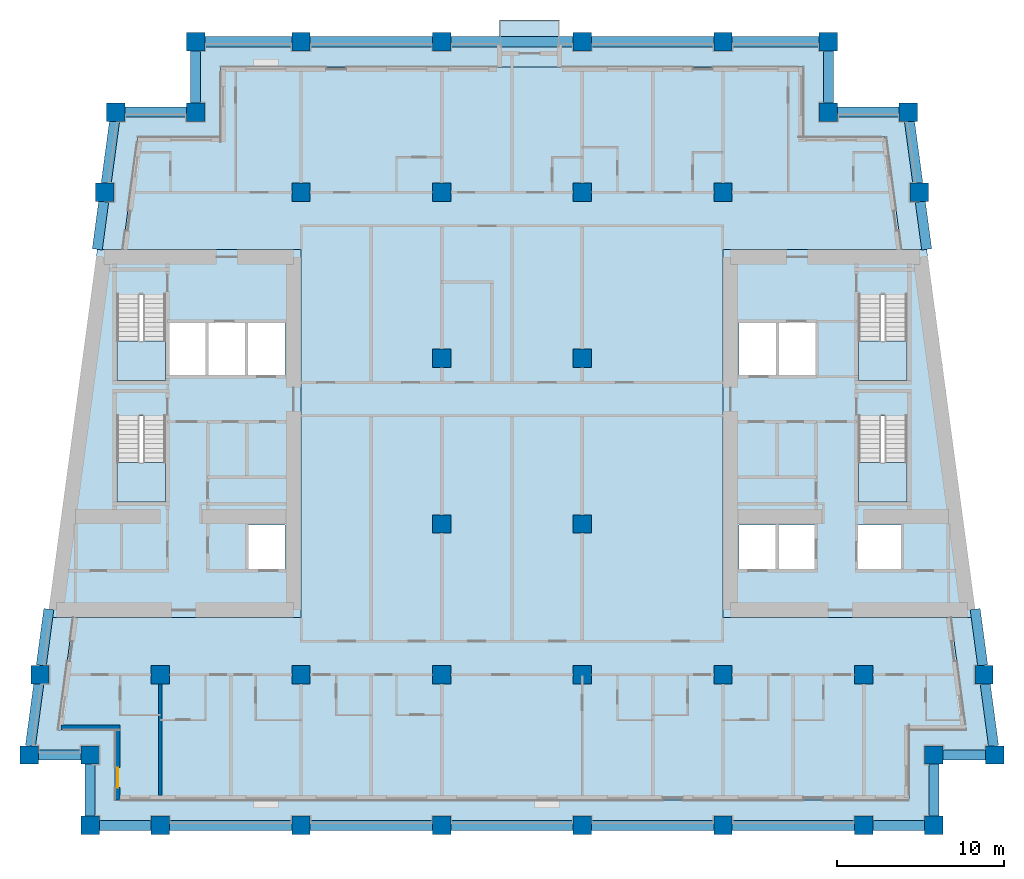
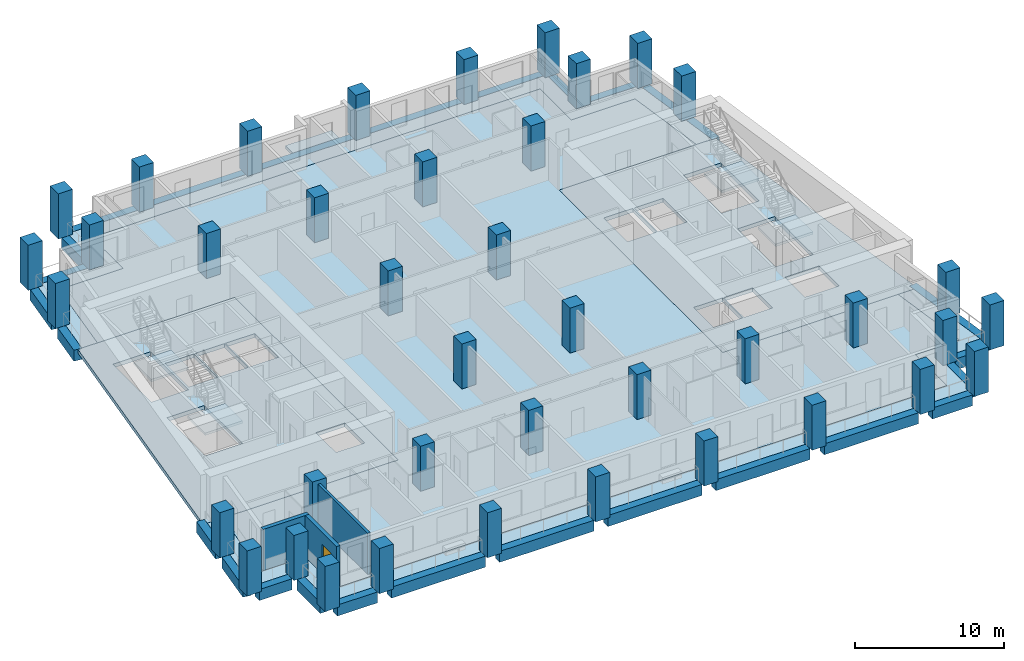
# One storey, part 1 of 14: 40 columns, 28 beams, 10 slabs, 3 walls, 1 door, 1 opening, 4 elements without a shape of their own.
"""IFC4 building model written with IfcOpenShell, lengths in metres."""

from ifc_helpers import new_model, si_unit, direction, frame, frame_2d, origin, origin_2d, place, context, subcontext, project, spatial, polyline, rectangle, outline, extrude, material, layer, layer_set, material_profile, profile_set, type_object, element, fill, aggregate, save


model = new_model("IFC4")

# Units and contexts
model_context = context("Model", 3, precision=1e-05, world=origin(), true_north=direction((0.0, 1.0)))
body_context = subcontext(model_context, "Body", "Model", "MODEL_VIEW")
ifc_project = project(units=[si_unit("LENGTHUNIT", "METRE"), si_unit("AREAUNIT", "SQUARE_METRE"), si_unit("VOLUMEUNIT", "CUBIC_METRE"), si_unit("PLANEANGLEUNIT", "RADIAN"), si_unit("MASSUNIT", "GRAM", prefix="KILO")], contexts=[model_context])

# Site, building, storey
site_placement = place(None, origin())
site = spatial("IfcSite", under=ifc_project, at=site_placement, CompositionType="ELEMENT")
building_placement = place(site_placement, origin())
building = spatial("IfcBuilding", under=site, at=building_placement, Name="Candeia Pilgrim Tower and Theatre", CompositionType="ELEMENT")
storey_placement = place(building_placement, frame((0.0, 0.0, 173.699951171875)))
storey = spatial("IfcBuildingStorey", under=building, at=storey_placement, Name="L41", CompositionType="ELEMENT", Elevation=173.699951171875)

# Columns
ifc_material_1 = material(Name="Concrete C60/75", Category="concrete")
ifc_material_profile_1 = material_profile(ifc_material_1, rectangle(XDim=1.10009765625, YDim=1.10009765625, at=origin_2d()))
ifc_profile_set_1 = profile_set([ifc_material_profile_1], Name="Concrete C60/75")
column_type = type_object("IfcColumnType", Name="RC 1100x1100 C60/75", PredefinedType="COLUMN", material=ifc_profile_set_1)
for number, where, z_axis, x_axis, name in (
    (1, (92.39990234375, 98.0, 0.0), (0.0, 0.0, 1.0), (1.0, 0.0, 0.0), "Column A1"),
    (2, (100.800048828125, 98.0, 0.0), (0.0, 0.0, 1.0), (1.0, 0.0, 0.0), "Column A2"),
    (3, (109.199951171875, 98.0, 0.0), (0.0, 0.0, 1.0), (1.0, 0.0, 0.0), "Column A3"),
    (4, (117.60009765625, 98.0, 0.0), (0.0, 0.0, 1.0), (1.0, 0.0, 0.0), "Column A4"),
    (5, (126.0, 98.0, 0.0), (0.0, 0.0, 1.0), (1.0, 0.0, 0.0), "Column A5"),
    (6, (134.39990234375, 98.0, 0.0), (0.0, 0.0, 1.0), (1.0, 0.0, 0.0), "Column A6"),
    (7, (88.199951171875, 98.0, 0.0), (0.0, 0.0, 1.0), (1.0, 0.0, 0.0), "Column AW"),
    (8, (138.60009765625, 98.0, 0.0), (0.0, 0.0, 1.0), (1.0, 0.0, 0.0), "Column AE"),
    (9, (88.199951171875, 102.199951171875, 0.0), (0.0, 0.0, 1.0), (1.0, 0.0, 0.0), "Column NSW"),
    (10, (138.60009765625, 102.199951171875, 0.0), (0.0, 0.0, 1.0), (1.0, 0.0, 0.0), "Column NSE"),
    (11, (94.5, 140.60009765625, 0.0), (0.0, 0.0, 1.0), (1.0, 0.0, 0.0), "Column NNW"),
    (12, (132.300048828125, 140.60009765625, 0.0), (0.0, 0.0, 1.0), (1.0, 0.0, 0.0), "Column NNE"),
    (13, (84.5654296875, 102.199951171875, 0.0), (0.0, 0.0, 1.0), (1.0, 0.0, 0.0), "Column LSW"),
    (14, (142.234619140625, 102.199951171875, 0.0), (0.0, 0.0, 1.0), (1.0, 0.0, 0.0), "Column LSE"),
    (15, (89.734619140625, 140.60009765625, 0.0), (0.0, 0.0, 1.0), (1.0, 0.0, 0.0), "Column LNW"),
    (16, (137.0654296875, 140.60009765625, 0.0), (0.0, 0.0, 1.0), (1.0, 0.0, 0.0), "Column LNE"),
    (17, (92.39990234375, 107.0, 0.0), (0.0, 0.0, 1.0), (1.0, 0.0, 0.0), "Column B1"),
    (18, (100.800048828125, 107.0, 0.0), (0.0, 0.0, 1.0), (1.0, 0.0, 0.0), "Column B2"),
    (19, (109.199951171875, 107.0, 0.0), (0.0, 0.0, 1.0), (1.0, 0.0, 0.0), "Column B3"),
    (20, (117.60009765625, 107.0, 0.0), (0.0, 0.0, 1.0), (1.0, 0.0, 0.0), "Column B4"),
    (21, (126.0, 107.0, 0.0), (0.0, 0.0, 1.0), (1.0, 0.0, 0.0), "Column B5"),
    (22, (134.39990234375, 107.0, 0.0), (0.0, 0.0, 1.0), (1.0, 0.0, 0.0), "Column B6"),
    (23, (85.21142578125, 107.0, 0.0), (0.0, 0.0, 1.0), (1.0, 0.0, 0.0), "Column BW"),
    (24, (141.58837890625, 107.0, 0.0), (0.0, 0.0, 1.0), (1.0, 0.0, 0.0), "Column BE"),
    (25, (109.199951171875, 116.0, 0.0), (0.0, 0.0, 1.0), (1.0, 0.0, 0.0), "Column C3"),
    (26, (117.60009765625, 116.0, 0.0), (0.0, 0.0, 1.0), (1.0, 0.0, 0.0), "Column C4"),
    (27, (109.199951171875, 125.89990234375, 0.0), (0.0, 0.0, 1.0), (1.0, 0.0, 0.0), "Column D3"),
    (28, (117.60009765625, 125.89990234375, 0.0), (0.0, 0.0, 1.0), (1.0, 0.0, 0.0), "Column D4"),
    (29, (100.800048828125, 135.800048828125, 0.0), (0.0, 0.0, 1.0), (1.0, 0.0, 0.0), "Column E2"),
    (30, (109.199951171875, 135.800048828125, 0.0), (0.0, 0.0, 1.0), (1.0, 0.0, 0.0), "Column E3"),
    (31, (117.60009765625, 135.800048828125, 0.0), (0.0, 0.0, 1.0), (1.0, 0.0, 0.0), "Column E4"),
    (32, (126.0, 135.800048828125, 0.0), (0.0, 0.0, 1.0), (1.0, 0.0, 0.0), "Column E5"),
    (33, (89.08837890625, 135.800048828125, 0.0), (0.0, 0.0, 1.0), (1.0, 0.0, 0.0), "Column EW"),
    (34, (137.71142578125, 135.800048828125, 0.0), (0.0, 0.0, 1.0), (1.0, 0.0, 0.0), "Column EE"),
    (35, (100.800048828125, 144.800048828125, 0.0), (0.0, 0.0, 1.0), (1.0, 0.0, 0.0), "Column F2"),
    (36, (109.199951171875, 144.800048828125, 0.0), (0.0, 0.0, 1.0), (1.0, 0.0, 0.0), "Column F3"),
    (37, (117.60009765625, 144.800048828125, 0.0), (0.0, 0.0, 1.0), (1.0, 0.0, 0.0), "Column F4"),
    (38, (126.0, 144.800048828125, 0.0), (0.0, 0.0, 1.0), (1.0, 0.0, 0.0), "Column F5"),
    (39, (94.5, 144.800048828125, 0.0), (0.0, 0.0, 1.0), (1.0, 0.0, 0.0), "Column FW"),
    (40, (132.300048828125, 144.800048828125, 0.0), (0.0, 0.0, 1.0), (1.0, 0.0, 0.0), "Column FE"),
):
    element("IfcColumn", number, at=place(storey_placement, frame(where, z_axis=z_axis, x_axis=x_axis)), inside=storey, type_object=column_type, Name=name, PredefinedType="COLUMN", context=body_context, shape_type="SweptSolid", body=[
        extrude(rectangle(XDim=1.10009765625, YDim=1.10009765625, at=origin_2d()), origin(), (0.0, 0.0, 1.0), 3.699951171875),
    ])

# Beams
ifc_material_profile_2 = material_profile(ifc_material_1, rectangle(XDim=0.60009765625, YDim=0.89990234375, at=origin_2d()))
ifc_profile_set_2 = profile_set([ifc_material_profile_2], Name="Concrete C60/75")
beam_type = type_object("IfcBeamType", Name="RC 600x900 C60/75", PredefinedType="BEAM", material=ifc_profile_set_2)
beam_1_placement = place(storey_placement, frame((88.75, 98.0, -0.449951171875), z_axis=(1.0, 0.0, 0.0), x_axis=(0.0, 1.0, 0.0)))
element("IfcBeam", 41, at=beam_1_placement, inside=storey, type_object=beam_type, Name="Spandrel beam L41-01", PredefinedType="BEAM", context=body_context, shape_type="SweptSolid", body=[
    extrude(rectangle(XDim=0.60009765625, YDim=0.89990234375, at=origin_2d()), origin(), (0.0, 0.0, 1.0), 3.10009765625),
])
beam_2_placement = place(storey_placement, frame((92.949951171875, 98.0, -0.449951171875), z_axis=(1.0, 0.0, 0.0), x_axis=(0.0, 1.0, 0.0)))
element("IfcBeam", 42, at=beam_2_placement, inside=storey, type_object=beam_type, Name="Spandrel beam L41-02", PredefinedType="BEAM", context=body_context, shape_type="SweptSolid", body=[
    extrude(rectangle(XDim=0.60009765625, YDim=0.89990234375, at=origin_2d()), origin(), (0.0, 0.0, 1.0), 7.300048828125),
])
beam_3_placement = place(storey_placement, frame((101.35009765625, 98.0, -0.449951171875), z_axis=(1.0, 0.0, 0.0), x_axis=(0.0, 1.0, 0.0)))
element("IfcBeam", 43, at=beam_3_placement, inside=storey, type_object=beam_type, Name="Spandrel beam L41-03", PredefinedType="BEAM", context=body_context, shape_type="SweptSolid", body=[
    extrude(rectangle(XDim=0.60009765625, YDim=0.89990234375, at=origin_2d()), origin(), (0.0, 0.0, 1.0), 7.2998046875),
])
for number, where, z_axis, x_axis, name in (
    (44, (109.75, 98.0, -0.449951171875), (1.0, 0.0, 0.0), (0.0, 1.0, 0.0), "Spandrel beam L41-04"),
    (45, (118.14990234375, 98.0, -0.449951171875), (1.0, 0.0, 0.0), (0.0, 1.0, 0.0), "Spandrel beam L41-05"),
    (46, (126.550048828125, 98.0, -0.449951171875), (1.0, 0.0, 0.0), (0.0, 1.0, 0.0), "Spandrel beam L41-06"),
):
    element("IfcBeam", number, at=place(storey_placement, frame(where, z_axis=z_axis, x_axis=x_axis)), inside=storey, type_object=beam_type, Name=name, PredefinedType="BEAM", context=body_context, shape_type="SweptSolid", body=[
        extrude(rectangle(XDim=0.60009765625, YDim=0.89990234375, at=origin_2d()), origin(), (0.0, 0.0, 1.0), 7.300048828125),
    ])
beam_4_placement = place(storey_placement, frame((134.949951171875, 98.0, -0.449951171875), z_axis=(1.0, 0.0, 0.0), x_axis=(0.0, 1.0, 0.0)))
element("IfcBeam", 47, at=beam_4_placement, inside=storey, type_object=beam_type, Name="Spandrel beam L41-07", PredefinedType="BEAM", context=body_context, shape_type="SweptSolid", body=[
    extrude(rectangle(XDim=0.60009765625, YDim=0.89990234375, at=origin_2d()), origin(), (0.0, 0.0, 1.0), 3.10009765625),
])
beam_5_placement = place(storey_placement, frame((138.60009765625, 98.550048828125, -0.449951171875), z_axis=(0.0, 1.0, 0.0), x_axis=(-1.0, 0.0, 0.0)))
element("IfcBeam", 48, at=beam_5_placement, inside=storey, type_object=beam_type, Name="Spandrel beam L41-08", PredefinedType="BEAM", context=body_context, shape_type="SweptSolid", body=[
    extrude(rectangle(XDim=0.60009765625, YDim=0.89990234375, at=origin_2d()), origin(), (0.0, 0.0, 1.0), 3.099853515625),
])
beam_6_placement = place(storey_placement, frame((139.14990234375, 102.199951171875, -0.449951171875), z_axis=(1.0, 0.0, 0.0), x_axis=(0.0, 1.0, 0.0)))
element("IfcBeam", 49, at=beam_6_placement, inside=storey, type_object=beam_type, Name="Spandrel beam L41-09", PredefinedType="BEAM", context=body_context, shape_type="SweptSolid", body=[
    extrude(rectangle(XDim=0.60009765625, YDim=0.89990234375, at=origin_2d()), origin(), (0.0, 0.0, 1.0), 2.53466796875),
])
beam_7_placement = place(storey_placement, frame((142.16064453125, 102.75, -0.449951171875), z_axis=(-0.133405836075, 0.991061492997, 0.0), x_axis=(-0.991061492997, -0.133405836075, 0.0)))
element("IfcBeam", 50, at=beam_7_placement, inside=storey, type_object=beam_type, Name="Spandrel beam L41-10", PredefinedType="BEAM", context=body_context, shape_type="SweptSolid", body=[
    extrude(rectangle(XDim=0.60009765625, YDim=0.89990234375, at=origin_2d()), origin(), (0.0, 0.0, 1.0), 3.7333984375),
])
beam_8_placement = place(storey_placement, frame((141.514404296875, 107.550048828125, -0.449951171875), z_axis=(-0.133432414187, 0.99105791498, 0.0), x_axis=(-0.99105791498, -0.133432414187, 0.0)))
element("IfcBeam", 51, at=beam_8_placement, inside=storey, type_object=beam_type, Name="Spandrel beam L41-11", PredefinedType="BEAM", context=body_context, shape_type="SweptSolid", body=[
    extrude(rectangle(XDim=0.60009765625, YDim=0.89990234375, at=origin_2d()), origin(), (0.0, 0.0, 1.0), 3.390380859375),
])
beam_9_placement = place(storey_placement, frame((138.169189453125, 132.39990234375, -0.449951171875), z_axis=(-0.133370319951, 0.99106627314, 0.0), x_axis=(-0.99106627314, -0.133370319951, 0.0)))
element("IfcBeam", 52, at=beam_9_placement, inside=storey, type_object=beam_type, Name="Spandrel beam L41-12", PredefinedType="BEAM", context=body_context, shape_type="SweptSolid", body=[
    extrude(rectangle(XDim=0.60009765625, YDim=0.89990234375, at=origin_2d()), origin(), (0.0, 0.0, 1.0), 2.875732421875),
])
beam_10_placement = place(storey_placement, frame((137.637451171875, 136.35009765625, -0.449951171875), z_axis=(-0.133405836075, 0.991061492997, 0.0), x_axis=(-0.991061492997, -0.133405836075, 0.0)))
element("IfcBeam", 53, at=beam_10_placement, inside=storey, type_object=beam_type, Name="Spandrel beam L41-13", PredefinedType="BEAM", context=body_context, shape_type="SweptSolid", body=[
    extrude(rectangle(XDim=0.60009765625, YDim=0.89990234375, at=origin_2d()), origin(), (0.0, 0.0, 1.0), 3.7333984375),
])
beam_11_placement = place(storey_placement, frame((136.515380859375, 140.60009765625, -0.449951171875), z_axis=(-1.0, 0.0, 0.0), x_axis=(0.0, -1.0, 0.0)))
element("IfcBeam", 54, at=beam_11_placement, inside=storey, type_object=beam_type, Name="Spandrel beam L41-14", PredefinedType="BEAM", context=body_context, shape_type="SweptSolid", body=[
    extrude(rectangle(XDim=0.60009765625, YDim=0.89990234375, at=origin_2d()), origin(), (0.0, 0.0, 1.0), 3.665283203125),
])
beam_12_placement = place(storey_placement, frame((132.300048828125, 141.14990234375, -0.449951171875), z_axis=(0.0, 1.0, 0.0), x_axis=(-1.0, 0.0, 0.0)))
element("IfcBeam", 55, at=beam_12_placement, inside=storey, type_object=beam_type, Name="Spandrel beam L41-15", PredefinedType="BEAM", context=body_context, shape_type="SweptSolid", body=[
    extrude(rectangle(XDim=0.60009765625, YDim=0.89990234375, at=origin_2d()), origin(), (0.0, 0.0, 1.0), 3.10009765625),
])
beam_13_placement = place(storey_placement, frame((131.75, 144.800048828125, -0.449951171875), z_axis=(-1.0, 0.0, 0.0), x_axis=(0.0, -1.0, 0.0)))
element("IfcBeam", 56, at=beam_13_placement, inside=storey, type_object=beam_type, Name="Spandrel beam L41-16", PredefinedType="BEAM", context=body_context, shape_type="SweptSolid", body=[
    extrude(rectangle(XDim=0.60009765625, YDim=0.89990234375, at=origin_2d()), origin(), (0.0, 0.0, 1.0), 5.199951171875),
])
for number, where, z_axis, x_axis, name in (
    (57, (125.449951171875, 144.800048828125, -0.449951171875), (-1.0, 0.0, 0.0), (0.0, -1.0, 0.0), "Spandrel beam L41-17"),
    (58, (117.050048828125, 144.800048828125, -0.449951171875), (-1.0, 0.0, 0.0), (0.0, -1.0, 0.0), "Spandrel beam L41-18"),
):
    element("IfcBeam", number, at=place(storey_placement, frame(where, z_axis=z_axis, x_axis=x_axis)), inside=storey, type_object=beam_type, Name=name, PredefinedType="BEAM", context=body_context, shape_type="SweptSolid", body=[
        extrude(rectangle(XDim=0.60009765625, YDim=0.89990234375, at=origin_2d()), origin(), (0.0, 0.0, 1.0), 7.300048828125),
    ])
beam_14_placement = place(storey_placement, frame((108.64990234375, 144.800048828125, -0.449951171875), z_axis=(-1.0, 0.0, 0.0), x_axis=(0.0, -1.0, 0.0)))
element("IfcBeam", 59, at=beam_14_placement, inside=storey, type_object=beam_type, Name="Spandrel beam L41-19", PredefinedType="BEAM", context=body_context, shape_type="SweptSolid", body=[
    extrude(rectangle(XDim=0.60009765625, YDim=0.89990234375, at=origin_2d()), origin(), (0.0, 0.0, 1.0), 7.2998046875),
])
beam_15_placement = place(storey_placement, frame((100.25, 144.800048828125, -0.449951171875), z_axis=(-1.0, 0.0, 0.0), x_axis=(0.0, -1.0, 0.0)))
element("IfcBeam", 60, at=beam_15_placement, inside=storey, type_object=beam_type, Name="Spandrel beam L41-20", PredefinedType="BEAM", context=body_context, shape_type="SweptSolid", body=[
    extrude(rectangle(XDim=0.60009765625, YDim=0.89990234375, at=origin_2d()), origin(), (0.0, 0.0, 1.0), 5.199951171875),
])
beam_16_placement = place(storey_placement, frame((94.5, 144.25, -0.449951171875), z_axis=(0.0, -1.0, 0.0), x_axis=(1.0, 0.0, 0.0)))
element("IfcBeam", 61, at=beam_16_placement, inside=storey, type_object=beam_type, Name="Spandrel beam L41-21", PredefinedType="BEAM", context=body_context, shape_type="SweptSolid", body=[
    extrude(rectangle(XDim=0.60009765625, YDim=0.89990234375, at=origin_2d()), origin(), (0.0, 0.0, 1.0), 3.10009765625),
])
beam_17_placement = place(storey_placement, frame((93.949951171875, 140.60009765625, -0.449951171875), z_axis=(-1.0, 0.0, 0.0), x_axis=(0.0, -1.0, 0.0)))
element("IfcBeam", 62, at=beam_17_placement, inside=storey, type_object=beam_type, Name="Spandrel beam L41-22", PredefinedType="BEAM", context=body_context, shape_type="SweptSolid", body=[
    extrude(rectangle(XDim=0.60009765625, YDim=0.89990234375, at=origin_2d()), origin(), (0.0, 0.0, 1.0), 3.665283203125),
])
beam_18_placement = place(storey_placement, frame((89.66064453125, 140.050048828125, -0.449951171875), z_axis=(-0.133405836075, -0.991061492997, 0.0), x_axis=(0.991061492997, -0.133405836075, 0.0)))
element("IfcBeam", 63, at=beam_18_placement, inside=storey, type_object=beam_type, Name="Spandrel beam L41-23", PredefinedType="BEAM", context=body_context, shape_type="SweptSolid", body=[
    extrude(rectangle(XDim=0.60009765625, YDim=0.89990234375, at=origin_2d()), origin(), (0.0, 0.0, 1.0), 3.7333984375),
])
beam_19_placement = place(storey_placement, frame((89.014404296875, 135.25, -0.449951171875), z_axis=(-0.133370319951, -0.99106627314, 0.0), x_axis=(0.99106627314, -0.133370319951, 0.0)))
element("IfcBeam", 64, at=beam_19_placement, inside=storey, type_object=beam_type, Name="Spandrel beam L41-24", PredefinedType="BEAM", context=body_context, shape_type="SweptSolid", body=[
    extrude(rectangle(XDim=0.60009765625, YDim=0.89990234375, at=origin_2d()), origin(), (0.0, 0.0, 1.0), 2.875732421875),
])
beam_20_placement = place(storey_placement, frame((85.73779296875, 110.91015625, -0.449951171875), z_axis=(-0.133361686371, -0.991067434945, 0.0), x_axis=(0.991067434945, -0.133361686371, 0.0)))
element("IfcBeam", 65, at=beam_20_placement, inside=storey, type_object=beam_type, Name="Spandrel beam L41-25", PredefinedType="BEAM", context=body_context, shape_type="SweptSolid", body=[
    extrude(rectangle(XDim=0.60009765625, YDim=0.89990234375, at=origin_2d()), origin(), (0.0, 0.0, 1.0), 3.390380859375),
])
beam_21_placement = place(storey_placement, frame((85.137451171875, 106.449951171875, -0.449951171875), z_axis=(-0.133405836075, -0.991061492997, 0.0), x_axis=(0.991061492997, -0.133405836075, 0.0)))
element("IfcBeam", 66, at=beam_21_placement, inside=storey, type_object=beam_type, Name="Spandrel beam L41-26", PredefinedType="BEAM", context=body_context, shape_type="SweptSolid", body=[
    extrude(rectangle(XDim=0.60009765625, YDim=0.89990234375, at=origin_2d()), origin(), (0.0, 0.0, 1.0), 3.7333984375),
])
beam_22_placement = place(storey_placement, frame((85.115478515625, 102.199951171875, -0.449951171875), z_axis=(1.0, 0.0, 0.0), x_axis=(0.0, 1.0, 0.0)))
element("IfcBeam", 67, at=beam_22_placement, inside=storey, type_object=beam_type, Name="Spandrel beam L41-27", PredefinedType="BEAM", context=body_context, shape_type="SweptSolid", body=[
    extrude(rectangle(XDim=0.60009765625, YDim=0.89990234375, at=origin_2d()), origin(), (0.0, 0.0, 1.0), 2.534423828125),
])
beam_23_placement = place(storey_placement, frame((88.199951171875, 101.64990234375, -0.449951171875), z_axis=(0.0, -1.0, 0.0), x_axis=(1.0, 0.0, 0.0)))
element("IfcBeam", 68, at=beam_23_placement, inside=storey, type_object=beam_type, Name="Spandrel beam L41-28", PredefinedType="BEAM", context=body_context, shape_type="SweptSolid", body=[
    extrude(rectangle(XDim=0.60009765625, YDim=0.89990234375, at=origin_2d()), origin(), (0.0, 0.0, 1.0), 3.099853515625),
])

# Slabs
ifc_material_2 = material(Name="Concrete C40/50", Category="concrete")
ifc_layer_1 = layer(ifc_material_2, 0.25)
ifc_layer_set_1 = layer_set([ifc_layer_1], Name="BK1 balcony slab 250")
slab_type_1 = type_object("IfcSlabType", Name="BK1 balcony slab 250", PredefinedType="USERDEFINED", material=ifc_layer_set_1)
slab_1_placement = place(storey_placement, frame((0.0, 0.0, -0.25)))
element("IfcSlab", 69, at=slab_1_placement, inside=storey, type_object=slab_type_1, Name="Balcony L41", ObjectType="BALCONY", PredefinedType="USERDEFINED", context=body_context, shape_type="SweptSolid", body=[
    extrude(outline(polyline([(112.64990234375, 144.5), (116.25, 144.5), (116.25, 146.10009765625), (112.64990234375, 146.10009765625), (112.64990234375, 144.5)])), origin(), (0.0, 0.0, 1.0), 0.25),
])
ifc_layer_2 = layer(ifc_material_1, 0.320068359375)
ifc_layer_set_2 = layer_set([ifc_layer_2], Name="FS-CORE 320 core floor")
slab_type_2 = type_object("IfcSlabType", Name="FS-CORE 320 core floor", PredefinedType="FLOOR", material=ifc_layer_set_2)
slab_2_placement = place(storey_placement, frame((0.0, 0.0, -0.320068359375)))
element("IfcSlab", 70, at=slab_2_placement, inside=storey, type_object=slab_type_2, Name="Core floor W L41", PredefinedType="FLOOR", context=body_context, shape_type="SweptSolid", body=[
    extrude(outline(polyline([(100.800048828125, 132.39990234375), (100.800048828125, 110.39990234375), (85.669189453125, 110.39990234375), (88.630859375, 132.39990234375), (100.800048828125, 132.39990234375)]), holes=[polyline([(97.59228515625, 128.050048828125), (97.59228515625, 124.85009765625), (99.85009765625, 124.85009765625), (99.85009765625, 128.050048828125), (97.59228515625, 128.050048828125)]), polyline([(97.613525390625, 113.25), (99.85009765625, 113.25), (99.85009765625, 115.949951171875), (97.613525390625, 115.949951171875), (97.613525390625, 113.25)]), polyline([(95.234619140625, 124.85009765625), (97.4921875, 124.85009765625), (97.4921875, 128.050048828125), (95.234619140625, 128.050048828125), (95.234619140625, 124.85009765625)]), polyline([(92.876953125, 128.050048828125), (92.876953125, 124.85009765625), (95.134765625, 124.85009765625), (95.134765625, 128.050048828125), (92.876953125, 128.050048828125)]), polyline([(89.802001953125, 122.455078125), (89.802001953125, 117.324951171875), (92.701904296875, 117.324951171875), (92.701904296875, 122.455078125), (89.802001953125, 122.455078125)]), polyline([(89.802001953125, 129.705078125), (89.802001953125, 124.574951171875), (92.701904296875, 124.574951171875), (92.701904296875, 129.705078125), (89.802001953125, 129.705078125)])]), origin(), (0.0, 0.0, 1.0), 0.320068359375),
])
slab_3_placement = place(storey_placement, frame((0.0, 0.0, -0.320068359375)))
element("IfcSlab", 71, at=slab_3_placement, inside=storey, type_object=slab_type_2, Name="Core floor E L41", PredefinedType="FLOOR", context=body_context, shape_type="SweptSolid", body=[
    extrude(outline(polyline([(138.169189453125, 132.39990234375), (141.130859375, 110.39990234375), (126.0, 110.39990234375), (126.0, 132.39990234375), (138.169189453125, 132.39990234375)]), holes=[polyline([(134.097900390625, 122.455078125), (134.097900390625, 117.324951171875), (136.998046875, 117.324951171875), (136.998046875, 122.455078125), (134.097900390625, 122.455078125)]), polyline([(134.097900390625, 129.705078125), (134.097900390625, 124.574951171875), (136.998046875, 124.574951171875), (136.998046875, 129.705078125), (134.097900390625, 129.705078125)]), polyline([(136.672607421875, 115.949951171875), (134.02294921875, 115.949951171875), (134.02294921875, 113.25), (136.672607421875, 113.25), (136.672607421875, 115.949951171875)]), polyline([(131.565185546875, 128.050048828125), (129.3076171875, 128.050048828125), (129.3076171875, 124.85009765625), (131.565185546875, 124.85009765625), (131.565185546875, 128.050048828125)]), polyline([(131.52294921875, 115.949951171875), (129.28662109375, 115.949951171875), (129.28662109375, 113.25), (131.52294921875, 113.25), (131.52294921875, 115.949951171875)]), polyline([(129.207763671875, 128.050048828125), (126.949951171875, 128.050048828125), (126.949951171875, 124.85009765625), (129.207763671875, 124.85009765625), (129.207763671875, 128.050048828125)]), polyline([(126.949951171875, 115.949951171875), (126.949951171875, 113.25), (129.1865234375, 113.25), (129.1865234375, 115.949951171875), (126.949951171875, 115.949951171875)])]), origin(), (0.0, 0.0, 1.0), 0.320068359375),
])
ifc_material_3 = material(Name="Concrete C50/60", Category="concrete")
ifc_layer_3 = layer(ifc_material_3, 0.320068359375)
ifc_layer_set_3 = layer_set([ifc_layer_3], Name="Floor slab 320 C50/60")
slab_type_3 = type_object("IfcSlabType", Name="Floor slab 320 C50/60", PredefinedType="FLOOR", material=ifc_layer_set_3)
slab_4_placement = place(storey_placement, frame((0.0, 0.0, -0.320068359375)))
element("IfcSlab", 72, at=slab_4_placement, inside=storey, type_object=slab_type_3, Name="Floor slab L41", PredefinedType="FLOOR", context=body_context, shape_type="SweptSolid", body=[
    extrude(outline(polyline([(96.0, 139.10009765625), (96.0, 143.300048828125), (130.800048828125, 143.300048828125), (130.800048828125, 139.10009765625), (135.753662109375, 139.10009765625), (136.65576171875, 132.39990234375), (126.0, 132.39990234375), (126.0, 110.39990234375), (139.6171875, 110.39990234375), (140.51904296875, 103.699951171875), (137.10009765625, 103.699951171875), (137.10009765625, 99.5), (89.699951171875, 99.5), (89.699951171875, 103.699951171875), (86.28076171875, 103.699951171875), (87.182861328125, 110.39990234375), (100.800048828125, 110.39990234375), (100.800048828125, 132.39990234375), (90.144287109375, 132.39990234375), (91.046142578125, 139.10009765625), (96.0, 139.10009765625)])), origin(), (0.0, 0.0, 1.0), 0.320068359375),
])
ifc_layer_4 = layer(ifc_material_2, 0.25)
ifc_layer_set_4 = layer_set([ifc_layer_4], Name="Loggia slab 250 C40/50")
slab_type_4 = type_object("IfcSlabType", Name="Loggia slab 250 C40/50", PredefinedType="FLOOR", material=ifc_layer_set_4)
slab_5_placement = place(storey_placement, frame((0.0, 0.0, -0.25)))
element("IfcSlab", 73, at=slab_5_placement, inside=storey, type_object=slab_type_4, Name="Loggia slab L41 1", PredefinedType="FLOOR", context=body_context, shape_type="SweptSolid", body=[
    extrude(outline(polyline([(87.182861328125, 110.39990234375), (86.28076171875, 103.699951171875), (89.699951171875, 103.699951171875), (89.699951171875, 99.5), (137.10009765625, 99.5), (137.10009765625, 103.699951171875), (140.51904296875, 103.699951171875), (139.6171875, 110.39990234375), (140.828125, 110.39990234375), (141.8916015625, 102.5), (138.300048828125, 102.5), (138.300048828125, 98.300048828125), (88.5, 98.300048828125), (88.5, 102.5), (84.908447265625, 102.5), (85.971923828125, 110.39990234375), (87.182861328125, 110.39990234375)])), origin(), (0.0, 0.0, 1.0), 0.25),
])
slab_6_placement = place(storey_placement, frame((0.0, 0.0, -0.25)))
element("IfcSlab", 74, at=slab_6_placement, inside=storey, type_object=slab_type_4, Name="Loggia slab L41 2", PredefinedType="FLOOR", context=body_context, shape_type="SweptSolid", body=[
    extrude(outline(polyline([(136.65576171875, 132.39990234375), (135.753662109375, 139.10009765625), (130.800048828125, 139.10009765625), (130.800048828125, 143.300048828125), (96.0, 143.300048828125), (96.0, 139.10009765625), (91.046142578125, 139.10009765625), (90.144287109375, 132.39990234375), (88.93359375, 132.39990234375), (89.996826171875, 140.300048828125), (94.800048828125, 140.300048828125), (94.800048828125, 144.5), (132.0, 144.5), (132.0, 140.300048828125), (136.802978515625, 140.300048828125), (137.866455078125, 132.39990234375), (136.65576171875, 132.39990234375)])), origin(), (0.0, 0.0, 1.0), 0.25),
])

# Stair, slab
stair_type = type_object("IfcStairType", Name="ST-TWR dog-leg escape stair", PredefinedType="HALF_TURN_STAIR", material=ifc_material_2)
stair_1_placement = place(storey_placement, origin())
stair_1 = element("IfcStair", 75, at=stair_1_placement, inside=storey, type_object=stair_type, Name="L41 Escape stair ST1", PredefinedType="HALF_TURN_STAIR")
ifc_layer_5 = layer(ifc_material_2, 0.199951171875)
ifc_layer_set_5 = layer_set([ifc_layer_5], Name="SL-LANDING stair landing")
slab_type_5 = type_object("IfcSlabType", Name="SL-LANDING stair landing", PredefinedType="LANDING", material=ifc_layer_set_5)
slab_7_placement = place(storey_placement, frame((0.0, 0.0, 1.650146484375)))
slab_7 = element("IfcSlab", 76, at=slab_7_placement, type_object=slab_type_5, Name="ST1 landing 1", PredefinedType="LANDING", context=body_context, shape_type="SweptSolid", body=[
    extrude(outline(polyline([(89.802001953125, 119.675048828125), (89.802001953125, 117.324951171875), (92.701904296875, 117.324951171875), (92.701904296875, 119.675048828125), (89.802001953125, 119.675048828125)])), origin(), (0.0, 0.0, 1.0), 0.199951171875),
])
aggregate(stair_1, [slab_7])

stair_2_placement = place(storey_placement, origin())
stair_2 = element("IfcStair", 77, at=stair_2_placement, inside=storey, type_object=stair_type, Name="L41 Escape stair ST2", PredefinedType="HALF_TURN_STAIR")
slab_8_placement = place(storey_placement, frame((0.0, 0.0, 1.650146484375)))
slab_8 = element("IfcSlab", 78, at=slab_8_placement, type_object=slab_type_5, Name="ST2 landing 1", PredefinedType="LANDING", context=body_context, shape_type="SweptSolid", body=[
    extrude(outline(polyline([(89.802001953125, 126.925048828125), (89.802001953125, 124.574951171875), (92.701904296875, 124.574951171875), (92.701904296875, 126.925048828125), (89.802001953125, 126.925048828125)])), origin(), (0.0, 0.0, 1.0), 0.199951171875),
])
aggregate(stair_2, [slab_8])

stair_3_placement = place(storey_placement, origin())
stair_3 = element("IfcStair", 79, at=stair_3_placement, inside=storey, type_object=stair_type, Name="L41 Escape stair ST3", PredefinedType="HALF_TURN_STAIR")
slab_9_placement = place(storey_placement, frame((0.0, 0.0, 1.650146484375)))
slab_9 = element("IfcSlab", 80, at=slab_9_placement, type_object=slab_type_5, Name="ST3 landing 1", PredefinedType="LANDING", context=body_context, shape_type="SweptSolid", body=[
    extrude(outline(polyline([(134.097900390625, 119.675048828125), (134.097900390625, 117.324951171875), (136.998046875, 117.324951171875), (136.998046875, 119.675048828125), (134.097900390625, 119.675048828125)])), origin(), (0.0, 0.0, 1.0), 0.199951171875),
])
aggregate(stair_3, [slab_9])

stair_4_placement = place(storey_placement, origin())
stair_4 = element("IfcStair", 81, at=stair_4_placement, inside=storey, type_object=stair_type, Name="L41 Escape stair ST4", PredefinedType="HALF_TURN_STAIR")
slab_10_placement = place(storey_placement, frame((0.0, 0.0, 1.650146484375)))
slab_10 = element("IfcSlab", 82, at=slab_10_placement, type_object=slab_type_5, Name="ST4 landing 1", PredefinedType="LANDING", context=body_context, shape_type="SweptSolid", body=[
    extrude(outline(polyline([(134.097900390625, 126.925048828125), (134.097900390625, 124.574951171875), (136.998046875, 124.574951171875), (136.998046875, 126.925048828125), (134.097900390625, 126.925048828125)])), origin(), (0.0, 0.0, 1.0), 0.199951171875),
])
aggregate(stair_4, [slab_10])

# Wall
ifc_material_4 = material(Name="Ceramic block masonry", Category="masonry")
ifc_layer_6 = layer(ifc_material_4, 0.300048828125)
ifc_layer_set_6 = layer_set([ifc_layer_6], Name="EW1 glazing-line wall 300")
wall_type_1 = type_object("IfcWallType", Name="EW1 glazing-line wall 300", PredefinedType="SOLIDWALL", material=ifc_layer_set_6)
wall_1_placement = place(storey_placement, frame((86.452392578125, 103.85009765625, 0.0), z_axis=(0.0, 0.0, 1.0), x_axis=(1.0, 0.0, 0.0)))
element("IfcWall", 83, at=wall_1_placement, inside=storey, type_object=wall_type_1, Name="External wall L41-10.0", PredefinedType="SOLIDWALL", context=body_context, shape_type="SweptSolid", body=[
    extrude(rectangle(XDim=3.547607421875, YDim=0.300048828125, at=frame_2d((1.77392578125, 0.0))), origin(), (0.0, 0.0, 1.0), 3.380126953125),
])

# Wall, opening, door
wall_2_placement = place(storey_placement, frame((89.85009765625, 103.85009765625, 0.0), z_axis=(0.0, 0.0, 1.0), x_axis=(0.0, -1.0, 0.0)))
wall_2 = element("IfcWall", 84, at=wall_2_placement, inside=storey, type_object=wall_type_1, Name="External wall L41-11.0", PredefinedType="SOLIDWALL", context=body_context, shape_type="SweptSolid", body=[
    extrude(rectangle(XDim=4.35009765625, YDim=0.300048828125, at=frame_2d((2.175048828125, 0.0))), origin(), (0.0, 0.0, 1.0), 3.380126953125),
])
opening_placement = place(wall_2_placement, frame((2.39990234375, 0.0, 0.0)))
opening = element("IfcOpeningElement", 85, at=opening_placement, cuts=wall_2, Name="Opening L41-ED401", PredefinedType="OPENING", context=body_context, shape_type="SweptSolid", body=[
    extrude(rectangle(XDim=1.199951171875, YDim=2.39990234375, at=frame_2d((0.60009765625, 1.199951171875))), frame((0.0, 0.16015625, 0.0), z_axis=(0.0, -1.0, 0.0), x_axis=(1.0, 0.0, 0.0)), (0.0, 0.0, 1.0), 0.320068359375),
])
ifc_material_5 = material(Name="Aluminium framed glazed door", Category="aluminium")
door_type = type_object("IfcDoorType", Name="Loggia door 1200x2400", OperationType="DOUBLE_DOOR_SINGLE_SWING", PredefinedType="DOOR", material=ifc_material_5)
door_placement = place(opening_placement, origin())
door = element("IfcDoor", 86, at=door_placement, inside=storey, type_object=door_type, Name="Loggia door L41-ED401", OperationType="DOUBLE_DOOR_SINGLE_SWING", OverallHeight=2.39990234375, OverallWidth=1.199951171875, PredefinedType="DOOR", context=body_context, shape_type="SweptSolid", body=[
    extrude(rectangle(XDim=1.199951171875, YDim=2.39990234375, at=frame_2d((0.60009765625, 1.199951171875))), frame((0.0, 0.02490234375, 0.0), z_axis=(0.0, -1.0, 0.0), x_axis=(1.0, 0.0, 0.0)), (0.0, 0.0, 1.0), 0.050048828125),
])
fill(opening, door)

# Wall
ifc_material_6 = material(Name="Gypsum board partition on steel studs", Category="steel")
ifc_layer_7 = layer(ifc_material_6, 0.199951171875)
ifc_layer_set_7 = layer_set([ifc_layer_7], Name="PW-200 party wall")
wall_type_2 = type_object("IfcWallType", Name="PW-200 party wall", PredefinedType="PARTITIONING", material=ifc_layer_set_7)
wall_3_placement = place(storey_placement, frame((92.39990234375, 99.7900390625, 0.0), z_axis=(0.0, 0.0, 1.0), x_axis=(0.0, 1.0, 0.0)))
element("IfcWall", 87, at=wall_3_placement, inside=storey, type_object=wall_type_2, Name="Party wall L41-058", PredefinedType="PARTITIONING", context=body_context, shape_type="SweptSolid", body=[
    extrude(rectangle(XDim=7.135009765625, YDim=0.199951171875, at=frame_2d((3.5673828125, 0.0))), origin(), (0.0, 0.0, 1.0), 3.380126953125),
])

save(model, "model.ifc")
